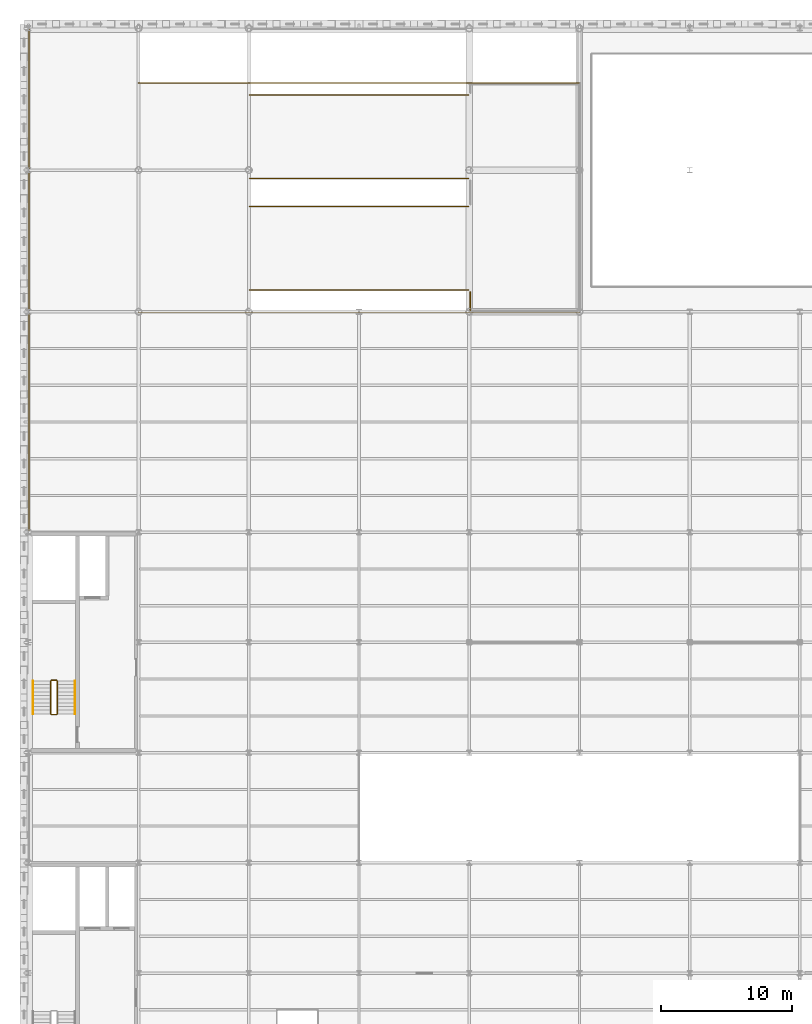
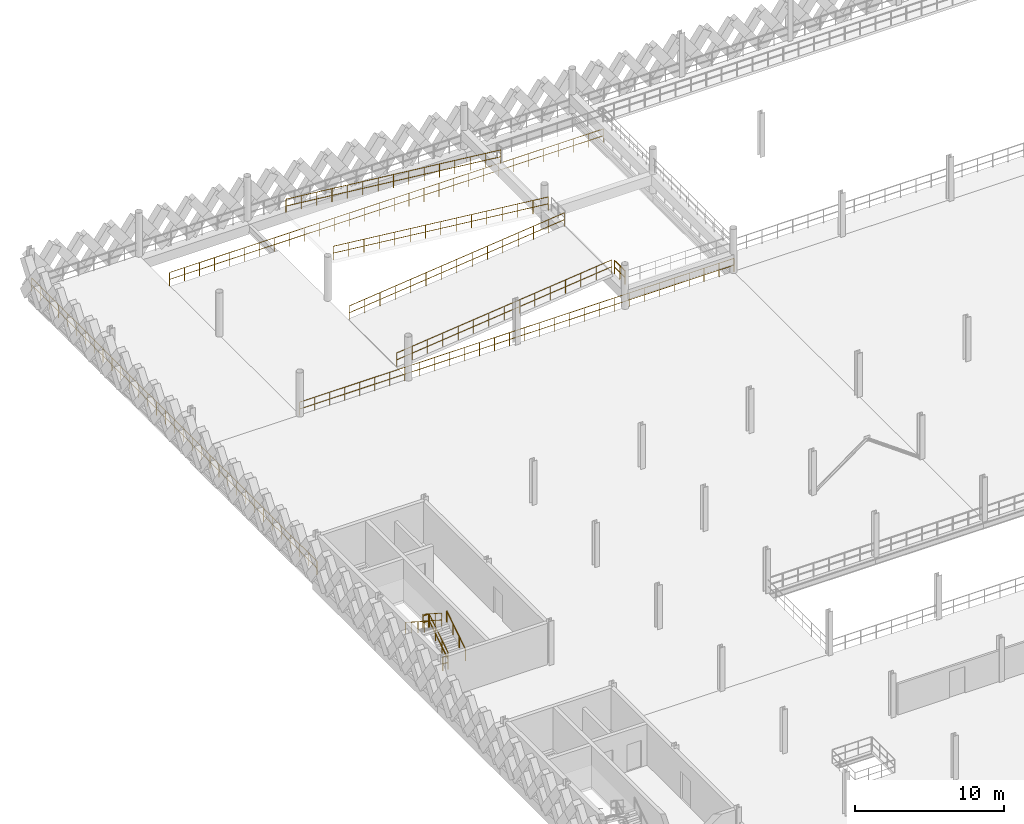
# One storey, part 74 of 79: 14 railings.
"""IFC4 building model written with IfcOpenShell, lengths in metres."""

from ifc_helpers import new_model, si_unit, direction, frame, origin, origin_2d, place, context, subcontext, project, spatial, circle, extrude, material, type_object, element, save


model = new_model("IFC4")

# Units and contexts
model_context = context("Model", 3, precision=1e-05, world=origin(), true_north=direction((0.0, 1.0)))
body_context = subcontext(model_context, "Body", "Model", "MODEL_VIEW")
ifc_project = project(units=[si_unit("LENGTHUNIT", "METRE"), si_unit("AREAUNIT", "SQUARE_METRE"), si_unit("VOLUMEUNIT", "CUBIC_METRE"), si_unit("PLANEANGLEUNIT", "RADIAN"), si_unit("MASSUNIT", "GRAM", prefix="KILO"), si_unit("THERMODYNAMICTEMPERATUREUNIT", "KELVIN"), si_unit("POWERUNIT", "WATT")], contexts=[model_context])

# Site, building, storey
site_placement = place(None, origin())
site = spatial("IfcSite", under=ifc_project, at=site_placement, CompositionType="ELEMENT")
building_placement = place(site_placement, origin())
building = spatial("IfcBuilding", under=site, at=building_placement, Name="Tembeka Court Mobility Hub", CompositionType="ELEMENT")
storey_placement = place(building_placement, frame((0.0, 0.0, 9.0)))
storey = spatial("IfcBuildingStorey", under=building, at=storey_placement, Name="L02", CompositionType="ELEMENT", Elevation=9.0)

# Railings
ifc_material_1 = material(Name="Painted galvanised steel balustrade", Category="steel")
railing_type_1 = type_object("IfcRailingType", Name="RL-GR01", PredefinedType="GUARDRAIL", material=ifc_material_1)
railing_1_placement = place(storey_placement, frame((2.199951171875, 66.550048828125, 0.179931640625)))
element("IfcRailing", 1, at=railing_1_placement, inside=storey, type_object=railing_type_1, Name="L02 ST03 stair guard 1-1", PredefinedType="GUARDRAIL", context=body_context, shape_type="SweptSolid", body=[
    extrude(circle(Radius=0.02392578125, at=origin_2d()), frame((0.0, 0.0, 1.09619140625), z_axis=(0.0, 0.841162588446, 0.540782303519), x_axis=(-1.0, 0.0, 0.0)), (0.0, 0.0, 1.0), 2.995849609375),
    extrude(circle(Radius=0.02392578125, at=origin_2d()), frame((0.0, 0.0, 0.5361328125), z_axis=(0.0, 0.841162588446, 0.540782303519), x_axis=(-1.0, 0.0, 0.0)), (0.0, 0.0, 1.0), 2.995849609375),
    extrude(circle(Radius=0.02099609375, at=origin_2d()), origin(), (0.0, 0.0, 1.0), 1.072021484375),
    extrude(circle(Radius=0.02099609375, at=origin_2d()), frame((0.0, 0.840087890625, 0.5400390625)), (0.0, 0.0, 1.0), 1.072021484375),
    extrude(circle(Radius=0.02099609375, at=origin_2d()), frame((0.0, 1.679931640625, 1.080078125)), (0.0, 0.0, 1.0), 1.072021484375),
    extrude(circle(Radius=0.02099609375, at=origin_2d()), frame((0.0, 2.52001953125, 1.6201171875)), (0.0, 0.0, 1.0), 1.072021484375),
])
railing_2_placement = place(storey_placement, frame((2.14990234375, 69.1201171875, 1.800048828125)))
element("IfcRailing", 2, at=railing_2_placement, inside=storey, type_object=railing_type_1, Name="L02 ST03 stair guard 2-1", PredefinedType="GUARDRAIL", context=body_context, shape_type="SweptSolid", body=[
    extrude(circle(Radius=0.02392578125, at=origin_2d()), frame((0.0, 0.0, 1.09619140625), z_axis=(-1.0, 0.0, 0.0), x_axis=(0.0, -1.0, 0.0)), (0.0, 0.0, 1.0), 0.39990234375),
    extrude(circle(Radius=0.02392578125, at=origin_2d()), frame((0.0, 0.0, 0.5361328125), z_axis=(-1.0, 0.0, 0.0), x_axis=(0.0, -1.0, 0.0)), (0.0, 0.0, 1.0), 0.39990234375),
    extrude(circle(Radius=0.02099609375, at=origin_2d()), origin(), (0.0, 0.0, 1.0), 1.072021484375),
    extrude(circle(Radius=0.02099609375, at=origin_2d()), frame((-0.39990234375, 0.0, 0.0)), (0.0, 0.0, 1.0), 1.072021484375),
])
railing_3_placement = place(storey_placement, frame((1.699951171875, 69.070068359375, 1.97998046875)))
element("IfcRailing", 3, at=railing_3_placement, inside=storey, type_object=railing_type_1, Name="L02 ST03 stair guard 3-1", PredefinedType="GUARDRAIL", context=body_context, shape_type="SweptSolid", body=[
    extrude(circle(Radius=0.02392578125, at=origin_2d()), frame((0.0, 0.0, 1.09619140625), z_axis=(0.0, -0.841162588446, 0.540782303519), x_axis=(1.0, 0.0, 0.0)), (0.0, 0.0, 1.0), 2.995849609375),
    extrude(circle(Radius=0.02392578125, at=origin_2d()), frame((0.0, 0.0, 0.5361328125), z_axis=(0.0, -0.841162588446, 0.540782303519), x_axis=(1.0, 0.0, 0.0)), (0.0, 0.0, 1.0), 2.995849609375),
    extrude(circle(Radius=0.02099609375, at=origin_2d()), origin(), (0.0, 0.0, 1.0), 1.072021484375),
    extrude(circle(Radius=0.02099609375, at=origin_2d()), frame((0.0, -0.840087890625, 0.5400390625)), (0.0, 0.0, 1.0), 1.072021484375),
    extrude(circle(Radius=0.02099609375, at=origin_2d()), frame((0.0, -1.679931640625, 1.080078125)), (0.0, 0.0, 1.0), 1.072021484375),
    extrude(circle(Radius=0.02099609375, at=origin_2d()), frame((0.0, -2.52001953125, 1.6201171875)), (0.0, 0.0, 1.0), 1.072021484375),
])
railing_4_placement = place(storey_placement, frame((2.14990234375, 66.5, 0.0)))
element("IfcRailing", 4, at=railing_4_placement, inside=storey, type_object=railing_type_1, Name="L02 ST03 stair guard 4-1", PredefinedType="GUARDRAIL", context=body_context, shape_type="SweptSolid", body=[
    extrude(circle(Radius=0.02392578125, at=origin_2d()), frame((0.0, 0.0, 1.09619140625), z_axis=(-1.0, 0.0, 0.0), x_axis=(0.0, -1.0, 0.0)), (0.0, 0.0, 1.0), 0.39990234375),
    extrude(circle(Radius=0.02392578125, at=origin_2d()), frame((0.0, 0.0, 0.5361328125), z_axis=(-1.0, 0.0, 0.0), x_axis=(0.0, -1.0, 0.0)), (0.0, 0.0, 1.0), 0.39990234375),
    extrude(circle(Radius=0.02099609375, at=origin_2d()), origin(), (0.0, 0.0, 1.0), 1.072021484375),
    extrude(circle(Radius=0.02099609375, at=origin_2d()), frame((-0.39990234375, 0.0, 0.0)), (0.0, 0.0, 1.0), 1.072021484375),
])
railing_type_2 = type_object("IfcRailingType", Name="RL-GR02", PredefinedType="GUARDRAIL", material=ifc_material_1)
railing_5_placement = place(storey_placement, frame((0.050048828125, 80.429931640625, 0.0)))
element("IfcRailing", 5, at=railing_5_placement, inside=storey, type_object=railing_type_2, Name="Perimeter guard GR02-0095", PredefinedType="GUARDRAIL", context=body_context, shape_type="SweptSolid", body=[
    extrude(circle(Radius=0.02392578125, at=origin_2d()), frame((0.0, 0.0, 1.09619140625), z_axis=(0.0, 1.0, 0.0), x_axis=(-1.0, 0.0, 0.0)), (0.0, 0.0, 1.0), 38.2900390625),
    extrude(circle(Radius=0.02392578125, at=origin_2d()), frame((0.0, 0.0, 0.5361328125), z_axis=(0.0, 1.0, 0.0), x_axis=(-1.0, 0.0, 0.0)), (0.0, 0.0, 1.0), 38.2900390625),
    extrude(circle(Radius=0.02099609375, at=origin_2d()), origin(), (0.0, 0.0, 1.0), 1.072021484375),
    extrude(circle(Radius=0.02099609375, at=origin_2d()), frame((0.0, 1.196533203125, 0.0)), (0.0, 0.0, 1.0), 1.072021484375),
    extrude(circle(Radius=0.02099609375, at=origin_2d()), frame((0.0, 2.39306640625, 0.0)), (0.0, 0.0, 1.0), 1.072021484375),
    extrude(circle(Radius=0.02099609375, at=origin_2d()), frame((0.0, 3.589599609375, 0.0)), (0.0, 0.0, 1.0), 1.072021484375),
    extrude(circle(Radius=0.02099609375, at=origin_2d()), frame((0.0, 4.7861328125, 0.0)), (0.0, 0.0, 1.0), 1.072021484375),
    extrude(circle(Radius=0.02099609375, at=origin_2d()), frame((0.0, 5.98291015625, 0.0)), (0.0, 0.0, 1.0), 1.072021484375),
    extrude(circle(Radius=0.02099609375, at=origin_2d()), frame((0.0, 7.179443359375, 0.0)), (0.0, 0.0, 1.0), 1.072021484375),
    extrude(circle(Radius=0.02099609375, at=origin_2d()), frame((0.0, 8.3759765625, 0.0)), (0.0, 0.0, 1.0), 1.072021484375),
    extrude(circle(Radius=0.02099609375, at=origin_2d()), frame((0.0, 9.572509765625, 0.0)), (0.0, 0.0, 1.0), 1.072021484375),
    extrude(circle(Radius=0.02099609375, at=origin_2d()), frame((0.0, 10.76904296875, 0.0)), (0.0, 0.0, 1.0), 1.072021484375),
    extrude(circle(Radius=0.02099609375, at=origin_2d()), frame((0.0, 11.965576171875, 0.0)), (0.0, 0.0, 1.0), 1.072021484375),
    extrude(circle(Radius=0.02099609375, at=origin_2d()), frame((0.0, 13.162109375, 0.0)), (0.0, 0.0, 1.0), 1.072021484375),
    extrude(circle(Radius=0.02099609375, at=origin_2d()), frame((0.0, 14.35888671875, 0.0)), (0.0, 0.0, 1.0), 1.072021484375),
    extrude(circle(Radius=0.02099609375, at=origin_2d()), frame((0.0, 15.555419921875, 0.0)), (0.0, 0.0, 1.0), 1.072021484375),
    extrude(circle(Radius=0.02099609375, at=origin_2d()), frame((0.0, 16.751953125, 0.0)), (0.0, 0.0, 1.0), 1.072021484375),
    extrude(circle(Radius=0.02099609375, at=origin_2d()), frame((0.0, 17.948486328125, 0.0)), (0.0, 0.0, 1.0), 1.072021484375),
    extrude(circle(Radius=0.02099609375, at=origin_2d()), frame((0.0, 19.14501953125, 0.0)), (0.0, 0.0, 1.0), 1.072021484375),
    extrude(circle(Radius=0.02099609375, at=origin_2d()), frame((0.0, 20.341552734375, 0.0)), (0.0, 0.0, 1.0), 1.072021484375),
    extrude(circle(Radius=0.02099609375, at=origin_2d()), frame((0.0, 21.5380859375, 0.0)), (0.0, 0.0, 1.0), 1.072021484375),
    extrude(circle(Radius=0.02099609375, at=origin_2d()), frame((0.0, 22.734619140625, 0.0)), (0.0, 0.0, 1.0), 1.072021484375),
    extrude(circle(Radius=0.02099609375, at=origin_2d()), frame((0.0, 23.93115234375, 0.0)), (0.0, 0.0, 1.0), 1.072021484375),
    extrude(circle(Radius=0.02099609375, at=origin_2d()), frame((0.0, 25.1279296875, 0.0)), (0.0, 0.0, 1.0), 1.072021484375),
    extrude(circle(Radius=0.02099609375, at=origin_2d()), frame((0.0, 26.324462890625, 0.0)), (0.0, 0.0, 1.0), 1.072021484375),
    extrude(circle(Radius=0.02099609375, at=origin_2d()), frame((0.0, 27.52099609375, 0.0)), (0.0, 0.0, 1.0), 1.072021484375),
    extrude(circle(Radius=0.02099609375, at=origin_2d()), frame((0.0, 28.717529296875, 0.0)), (0.0, 0.0, 1.0), 1.072021484375),
    extrude(circle(Radius=0.02099609375, at=origin_2d()), frame((0.0, 29.9140625, 0.0)), (0.0, 0.0, 1.0), 1.072021484375),
    extrude(circle(Radius=0.02099609375, at=origin_2d()), frame((0.0, 31.110595703125, 0.0)), (0.0, 0.0, 1.0), 1.072021484375),
    extrude(circle(Radius=0.02099609375, at=origin_2d()), frame((0.0, 32.30712890625, 0.0)), (0.0, 0.0, 1.0), 1.072021484375),
    extrude(circle(Radius=0.02099609375, at=origin_2d()), frame((0.0, 33.50390625, 0.0)), (0.0, 0.0, 1.0), 1.072021484375),
    extrude(circle(Radius=0.02099609375, at=origin_2d()), frame((0.0, 34.700439453125, 0.0)), (0.0, 0.0, 1.0), 1.072021484375),
    extrude(circle(Radius=0.02099609375, at=origin_2d()), frame((0.0, 35.89697265625, 0.0)), (0.0, 0.0, 1.0), 1.072021484375),
    extrude(circle(Radius=0.02099609375, at=origin_2d()), frame((0.0, 37.093505859375, 0.0)), (0.0, 0.0, 1.0), 1.072021484375),
    extrude(circle(Radius=0.02099609375, at=origin_2d()), frame((0.0, 38.2900390625, 0.0)), (0.0, 0.0, 1.0), 1.072021484375),
])
railing_6_placement = place(storey_placement, frame((8.3798828125, 97.14990234375, 0.0)))
element("IfcRailing", 6, at=railing_6_placement, inside=storey, type_object=railing_type_2, Name="Perimeter guard GR02-0190", PredefinedType="GUARDRAIL", context=body_context, shape_type="SweptSolid", body=[
    extrude(circle(Radius=0.02392578125, at=origin_2d()), frame((0.0, 0.0, 1.09619140625), z_axis=(1.0, 0.0, 0.0), x_axis=(0.0, 1.0, 0.0)), (0.0, 0.0, 1.0), 33.64013671875),
    extrude(circle(Radius=0.02392578125, at=origin_2d()), frame((0.0, 0.0, 0.5361328125), z_axis=(1.0, 0.0, 0.0), x_axis=(0.0, 1.0, 0.0)), (0.0, 0.0, 1.0), 33.64013671875),
    extrude(circle(Radius=0.02099609375, at=origin_2d()), origin(), (0.0, 0.0, 1.0), 1.072021484375),
    extrude(circle(Radius=0.02099609375, at=origin_2d()), frame((1.159912109375, 0.0, 0.0)), (0.0, 0.0, 1.0), 1.072021484375),
    extrude(circle(Radius=0.02099609375, at=origin_2d()), frame((2.320068359375, 0.0, 0.0)), (0.0, 0.0, 1.0), 1.072021484375),
    extrude(circle(Radius=0.02099609375, at=origin_2d()), frame((3.47998046875, 0.0, 0.0)), (0.0, 0.0, 1.0), 1.072021484375),
    extrude(circle(Radius=0.02099609375, at=origin_2d()), frame((4.64013671875, 0.0, 0.0)), (0.0, 0.0, 1.0), 1.072021484375),
    extrude(circle(Radius=0.02099609375, at=origin_2d()), frame((5.800048828125, 0.0, 0.0)), (0.0, 0.0, 1.0), 1.072021484375),
    extrude(circle(Radius=0.02099609375, at=origin_2d()), frame((6.9599609375, 0.0, 0.0)), (0.0, 0.0, 1.0), 1.072021484375),
    extrude(circle(Radius=0.02099609375, at=origin_2d()), frame((8.1201171875, 0.0, 0.0)), (0.0, 0.0, 1.0), 1.072021484375),
    extrude(circle(Radius=0.02099609375, at=origin_2d()), frame((9.280029296875, 0.0, 0.0)), (0.0, 0.0, 1.0), 1.072021484375),
    extrude(circle(Radius=0.02099609375, at=origin_2d()), frame((10.43994140625, 0.0, 0.0)), (0.0, 0.0, 1.0), 1.072021484375),
    extrude(circle(Radius=0.02099609375, at=origin_2d()), frame((11.60009765625, 0.0, 0.0)), (0.0, 0.0, 1.0), 1.072021484375),
    extrude(circle(Radius=0.02099609375, at=origin_2d()), frame((12.760009765625, 0.0, 0.0)), (0.0, 0.0, 1.0), 1.072021484375),
    extrude(circle(Radius=0.02099609375, at=origin_2d()), frame((13.920166015625, 0.0, 0.0)), (0.0, 0.0, 1.0), 1.072021484375),
    extrude(circle(Radius=0.02099609375, at=origin_2d()), frame((15.080078125, 0.0, 0.0)), (0.0, 0.0, 1.0), 1.072021484375),
    extrude(circle(Radius=0.02099609375, at=origin_2d()), frame((16.239990234375, 0.0, 0.0)), (0.0, 0.0, 1.0), 1.072021484375),
    extrude(circle(Radius=0.02099609375, at=origin_2d()), frame((17.400146484375, 0.0, 0.0)), (0.0, 0.0, 1.0), 1.072021484375),
    extrude(circle(Radius=0.02099609375, at=origin_2d()), frame((18.56005859375, 0.0, 0.0)), (0.0, 0.0, 1.0), 1.072021484375),
    extrude(circle(Radius=0.02099609375, at=origin_2d()), frame((19.719970703125, 0.0, 0.0)), (0.0, 0.0, 1.0), 1.072021484375),
    extrude(circle(Radius=0.02099609375, at=origin_2d()), frame((20.880126953125, 0.0, 0.0)), (0.0, 0.0, 1.0), 1.072021484375),
    extrude(circle(Radius=0.02099609375, at=origin_2d()), frame((22.0400390625, 0.0, 0.0)), (0.0, 0.0, 1.0), 1.072021484375),
    extrude(circle(Radius=0.02099609375, at=origin_2d()), frame((23.2001953125, 0.0, 0.0)), (0.0, 0.0, 1.0), 1.072021484375),
    extrude(circle(Radius=0.02099609375, at=origin_2d()), frame((24.360107421875, 0.0, 0.0)), (0.0, 0.0, 1.0), 1.072021484375),
    extrude(circle(Radius=0.02099609375, at=origin_2d()), frame((25.52001953125, 0.0, 0.0)), (0.0, 0.0, 1.0), 1.072021484375),
    extrude(circle(Radius=0.02099609375, at=origin_2d()), frame((26.68017578125, 0.0, 0.0)), (0.0, 0.0, 1.0), 1.072021484375),
    extrude(circle(Radius=0.02099609375, at=origin_2d()), frame((27.840087890625, 0.0, 0.0)), (0.0, 0.0, 1.0), 1.072021484375),
    extrude(circle(Radius=0.02099609375, at=origin_2d()), frame((29.0, 0.0, 0.0)), (0.0, 0.0, 1.0), 1.072021484375),
    extrude(circle(Radius=0.02099609375, at=origin_2d()), frame((30.16015625, 0.0, 0.0)), (0.0, 0.0, 1.0), 1.072021484375),
    extrude(circle(Radius=0.02099609375, at=origin_2d()), frame((31.320068359375, 0.0, 0.0)), (0.0, 0.0, 1.0), 1.072021484375),
    extrude(circle(Radius=0.02099609375, at=origin_2d()), frame((32.480224609375, 0.0, 0.0)), (0.0, 0.0, 1.0), 1.072021484375),
    extrude(circle(Radius=0.02099609375, at=origin_2d()), frame((33.64013671875, 0.0, 0.0)), (0.0, 0.0, 1.0), 1.072021484375),
])
railing_7_placement = place(storey_placement, frame((8.3798828125, 114.64990234375, 0.0)))
element("IfcRailing", 7, at=railing_7_placement, inside=storey, type_object=railing_type_2, Name="Perimeter guard GR02-0191", PredefinedType="GUARDRAIL", context=body_context, shape_type="SweptSolid", body=[
    extrude(circle(Radius=0.02392578125, at=origin_2d()), frame((0.0, 0.0, 1.09619140625), z_axis=(1.0, 0.0, 0.0), x_axis=(0.0, 1.0, 0.0)), (0.0, 0.0, 1.0), 33.64013671875),
    extrude(circle(Radius=0.02392578125, at=origin_2d()), frame((0.0, 0.0, 0.5361328125), z_axis=(1.0, 0.0, 0.0), x_axis=(0.0, 1.0, 0.0)), (0.0, 0.0, 1.0), 33.64013671875),
    extrude(circle(Radius=0.02099609375, at=origin_2d()), origin(), (0.0, 0.0, 1.0), 1.072021484375),
    extrude(circle(Radius=0.02099609375, at=origin_2d()), frame((1.159912109375, 0.0, 0.0)), (0.0, 0.0, 1.0), 1.072021484375),
    extrude(circle(Radius=0.02099609375, at=origin_2d()), frame((2.320068359375, 0.0, 0.0)), (0.0, 0.0, 1.0), 1.072021484375),
    extrude(circle(Radius=0.02099609375, at=origin_2d()), frame((3.47998046875, 0.0, 0.0)), (0.0, 0.0, 1.0), 1.072021484375),
    extrude(circle(Radius=0.02099609375, at=origin_2d()), frame((4.64013671875, 0.0, 0.0)), (0.0, 0.0, 1.0), 1.072021484375),
    extrude(circle(Radius=0.02099609375, at=origin_2d()), frame((5.800048828125, 0.0, 0.0)), (0.0, 0.0, 1.0), 1.072021484375),
    extrude(circle(Radius=0.02099609375, at=origin_2d()), frame((6.9599609375, 0.0, 0.0)), (0.0, 0.0, 1.0), 1.072021484375),
    extrude(circle(Radius=0.02099609375, at=origin_2d()), frame((8.1201171875, 0.0, 0.0)), (0.0, 0.0, 1.0), 1.072021484375),
    extrude(circle(Radius=0.02099609375, at=origin_2d()), frame((9.280029296875, 0.0, 0.0)), (0.0, 0.0, 1.0), 1.072021484375),
    extrude(circle(Radius=0.02099609375, at=origin_2d()), frame((10.43994140625, 0.0, 0.0)), (0.0, 0.0, 1.0), 1.072021484375),
    extrude(circle(Radius=0.02099609375, at=origin_2d()), frame((11.60009765625, 0.0, 0.0)), (0.0, 0.0, 1.0), 1.072021484375),
    extrude(circle(Radius=0.02099609375, at=origin_2d()), frame((12.760009765625, 0.0, 0.0)), (0.0, 0.0, 1.0), 1.072021484375),
    extrude(circle(Radius=0.02099609375, at=origin_2d()), frame((13.920166015625, 0.0, 0.0)), (0.0, 0.0, 1.0), 1.072021484375),
    extrude(circle(Radius=0.02099609375, at=origin_2d()), frame((15.080078125, 0.0, 0.0)), (0.0, 0.0, 1.0), 1.072021484375),
    extrude(circle(Radius=0.02099609375, at=origin_2d()), frame((16.239990234375, 0.0, 0.0)), (0.0, 0.0, 1.0), 1.072021484375),
    extrude(circle(Radius=0.02099609375, at=origin_2d()), frame((17.400146484375, 0.0, 0.0)), (0.0, 0.0, 1.0), 1.072021484375),
    extrude(circle(Radius=0.02099609375, at=origin_2d()), frame((18.56005859375, 0.0, 0.0)), (0.0, 0.0, 1.0), 1.072021484375),
    extrude(circle(Radius=0.02099609375, at=origin_2d()), frame((19.719970703125, 0.0, 0.0)), (0.0, 0.0, 1.0), 1.072021484375),
    extrude(circle(Radius=0.02099609375, at=origin_2d()), frame((20.880126953125, 0.0, 0.0)), (0.0, 0.0, 1.0), 1.072021484375),
    extrude(circle(Radius=0.02099609375, at=origin_2d()), frame((22.0400390625, 0.0, 0.0)), (0.0, 0.0, 1.0), 1.072021484375),
    extrude(circle(Radius=0.02099609375, at=origin_2d()), frame((23.2001953125, 0.0, 0.0)), (0.0, 0.0, 1.0), 1.072021484375),
    extrude(circle(Radius=0.02099609375, at=origin_2d()), frame((24.360107421875, 0.0, 0.0)), (0.0, 0.0, 1.0), 1.072021484375),
    extrude(circle(Radius=0.02099609375, at=origin_2d()), frame((25.52001953125, 0.0, 0.0)), (0.0, 0.0, 1.0), 1.072021484375),
    extrude(circle(Radius=0.02099609375, at=origin_2d()), frame((26.68017578125, 0.0, 0.0)), (0.0, 0.0, 1.0), 1.072021484375),
    extrude(circle(Radius=0.02099609375, at=origin_2d()), frame((27.840087890625, 0.0, 0.0)), (0.0, 0.0, 1.0), 1.072021484375),
    extrude(circle(Radius=0.02099609375, at=origin_2d()), frame((29.0, 0.0, 0.0)), (0.0, 0.0, 1.0), 1.072021484375),
    extrude(circle(Radius=0.02099609375, at=origin_2d()), frame((30.16015625, 0.0, 0.0)), (0.0, 0.0, 1.0), 1.072021484375),
    extrude(circle(Radius=0.02099609375, at=origin_2d()), frame((31.320068359375, 0.0, 0.0)), (0.0, 0.0, 1.0), 1.072021484375),
    extrude(circle(Radius=0.02099609375, at=origin_2d()), frame((32.480224609375, 0.0, 0.0)), (0.0, 0.0, 1.0), 1.072021484375),
    extrude(circle(Radius=0.02099609375, at=origin_2d()), frame((33.64013671875, 0.0, 0.0)), (0.0, 0.0, 1.0), 1.072021484375),
])
railing_8_placement = place(storey_placement, frame((16.869873046875, 98.8701171875, 0.003173828125)))
element("IfcRailing", 8, at=railing_8_placement, inside=storey, type_object=railing_type_2, Name="Perimeter guard GR02-0232", PredefinedType="GUARDRAIL", context=body_context, shape_type="SweptSolid", body=[
    extrude(circle(Radius=0.02392578125, at=origin_2d()), frame((0.0, 0.0, 1.09619140625), z_axis=(0.994254289674, 0.0, 0.107043951089), x_axis=(0.0, 1.0, 0.0)), (0.0, 0.0, 1.0), 16.756591796875),
    extrude(circle(Radius=0.02392578125, at=origin_2d()), frame((0.0, 0.0, 0.5361328125), z_axis=(0.994254289674, 0.0, 0.107043951089), x_axis=(0.0, 1.0, 0.0)), (0.0, 0.0, 1.0), 16.756591796875),
    extrude(circle(Radius=0.02099609375, at=origin_2d()), origin(), (0.0, 0.0, 1.0), 1.072021484375),
    extrude(circle(Radius=0.02099609375, at=origin_2d()), frame((1.18994140625, 0.0, 0.128173828125)), (0.0, 0.0, 1.0), 1.072021484375),
    extrude(circle(Radius=0.02099609375, at=origin_2d()), frame((2.380126953125, 0.0, 0.25634765625)), (0.0, 0.0, 1.0), 1.072021484375),
    extrude(circle(Radius=0.02099609375, at=origin_2d()), frame((3.570068359375, 0.0, 0.38427734375)), (0.0, 0.0, 1.0), 1.072021484375),
    extrude(circle(Radius=0.02099609375, at=origin_2d()), frame((4.760009765625, 0.0, 0.512451171875)), (0.0, 0.0, 1.0), 1.072021484375),
    extrude(circle(Radius=0.02099609375, at=origin_2d()), frame((5.9501953125, 0.0, 0.640625)), (0.0, 0.0, 1.0), 1.072021484375),
    extrude(circle(Radius=0.02099609375, at=origin_2d()), frame((7.14013671875, 0.0, 0.768798828125)), (0.0, 0.0, 1.0), 1.072021484375),
    extrude(circle(Radius=0.02099609375, at=origin_2d()), frame((8.330078125, 0.0, 0.89697265625)), (0.0, 0.0, 1.0), 1.072021484375),
    extrude(circle(Radius=0.02099609375, at=origin_2d()), frame((9.520263671875, 0.0, 1.02490234375)), (0.0, 0.0, 1.0), 1.072021484375),
    extrude(circle(Radius=0.02099609375, at=origin_2d()), frame((10.710205078125, 0.0, 1.153076171875)), (0.0, 0.0, 1.0), 1.072021484375),
    extrude(circle(Radius=0.02099609375, at=origin_2d()), frame((11.900390625, 0.0, 1.28125)), (0.0, 0.0, 1.0), 1.072021484375),
    extrude(circle(Radius=0.02099609375, at=origin_2d()), frame((13.09033203125, 0.0, 1.409423828125)), (0.0, 0.0, 1.0), 1.072021484375),
    extrude(circle(Radius=0.02099609375, at=origin_2d()), frame((14.2802734375, 0.0, 1.537353515625)), (0.0, 0.0, 1.0), 1.072021484375),
    extrude(circle(Radius=0.02099609375, at=origin_2d()), frame((15.470458984375, 0.0, 1.66552734375)), (0.0, 0.0, 1.0), 1.072021484375),
    extrude(circle(Radius=0.02099609375, at=origin_2d()), frame((16.660400390625, 0.0, 1.793701171875)), (0.0, 0.0, 1.0), 1.072021484375),
])
railing_9_placement = place(storey_placement, frame((33.5302734375, 107.3701171875, 1.80322265625)))
element("IfcRailing", 9, at=railing_9_placement, inside=storey, type_object=railing_type_2, Name="Perimeter guard GR02-0233", PredefinedType="GUARDRAIL", context=body_context, shape_type="SweptSolid", body=[
    extrude(circle(Radius=0.02392578125, at=origin_2d()), frame((0.0, 0.0, 1.09619140625), z_axis=(-0.994255840215, 0.0, 0.107029548251), x_axis=(0.0, -1.0, 0.0)), (0.0, 0.0, 1.0), 16.756591796875),
    extrude(circle(Radius=0.02392578125, at=origin_2d()), frame((0.0, 0.0, 0.5361328125), z_axis=(-0.994255840215, 0.0, 0.107029548251), x_axis=(0.0, -1.0, 0.0)), (0.0, 0.0, 1.0), 16.756591796875),
    extrude(circle(Radius=0.02099609375, at=origin_2d()), origin(), (0.0, 0.0, 1.0), 1.072021484375),
    extrude(circle(Radius=0.02099609375, at=origin_2d()), frame((-1.18994140625, 0.0, 0.128173828125)), (0.0, 0.0, 1.0), 1.072021484375),
    extrude(circle(Radius=0.02099609375, at=origin_2d()), frame((-2.380126953125, 0.0, 0.256103515625)), (0.0, 0.0, 1.0), 1.072021484375),
    extrude(circle(Radius=0.02099609375, at=origin_2d()), frame((-3.570068359375, 0.0, 0.38427734375)), (0.0, 0.0, 1.0), 1.072021484375),
    extrude(circle(Radius=0.02099609375, at=origin_2d()), frame((-4.760009765625, 0.0, 0.512451171875)), (0.0, 0.0, 1.0), 1.072021484375),
    extrude(circle(Radius=0.02099609375, at=origin_2d()), frame((-5.9501953125, 0.0, 0.640625)), (0.0, 0.0, 1.0), 1.072021484375),
    extrude(circle(Radius=0.02099609375, at=origin_2d()), frame((-7.14013671875, 0.0, 0.7685546875)), (0.0, 0.0, 1.0), 1.072021484375),
    extrude(circle(Radius=0.02099609375, at=origin_2d()), frame((-8.330078125, 0.0, 0.896728515625)), (0.0, 0.0, 1.0), 1.072021484375),
    extrude(circle(Radius=0.02099609375, at=origin_2d()), frame((-9.520263671875, 0.0, 1.02490234375)), (0.0, 0.0, 1.0), 1.072021484375),
    extrude(circle(Radius=0.02099609375, at=origin_2d()), frame((-10.710205078125, 0.0, 1.15283203125)), (0.0, 0.0, 1.0), 1.072021484375),
    extrude(circle(Radius=0.02099609375, at=origin_2d()), frame((-11.900390625, 0.0, 1.281005859375)), (0.0, 0.0, 1.0), 1.072021484375),
    extrude(circle(Radius=0.02099609375, at=origin_2d()), frame((-13.09033203125, 0.0, 1.4091796875)), (0.0, 0.0, 1.0), 1.072021484375),
    extrude(circle(Radius=0.02099609375, at=origin_2d()), frame((-14.2802734375, 0.0, 1.537353515625)), (0.0, 0.0, 1.0), 1.072021484375),
    extrude(circle(Radius=0.02099609375, at=origin_2d()), frame((-15.470458984375, 0.0, 1.665283203125)), (0.0, 0.0, 1.0), 1.072021484375),
    extrude(circle(Radius=0.02099609375, at=origin_2d()), frame((-16.660400390625, 0.0, 1.79345703125)), (0.0, 0.0, 1.0), 1.072021484375),
])
railing_10_placement = place(storey_placement, frame((16.869873046875, 105.22998046875, 0.003173828125)))
element("IfcRailing", 10, at=railing_10_placement, inside=storey, type_object=railing_type_2, Name="Perimeter guard GR02-0234", PredefinedType="GUARDRAIL", context=body_context, shape_type="SweptSolid", body=[
    extrude(circle(Radius=0.02392578125, at=origin_2d()), frame((0.0, 0.0, 1.09619140625), z_axis=(0.994254289674, 0.0, 0.107043951089), x_axis=(0.0, 1.0, 0.0)), (0.0, 0.0, 1.0), 16.756591796875),
    extrude(circle(Radius=0.02392578125, at=origin_2d()), frame((0.0, 0.0, 0.5361328125), z_axis=(0.994254289674, 0.0, 0.107043951089), x_axis=(0.0, 1.0, 0.0)), (0.0, 0.0, 1.0), 16.756591796875),
    extrude(circle(Radius=0.02099609375, at=origin_2d()), origin(), (0.0, 0.0, 1.0), 1.072021484375),
    extrude(circle(Radius=0.02099609375, at=origin_2d()), frame((1.18994140625, 0.0, 0.128173828125)), (0.0, 0.0, 1.0), 1.072021484375),
    extrude(circle(Radius=0.02099609375, at=origin_2d()), frame((2.380126953125, 0.0, 0.25634765625)), (0.0, 0.0, 1.0), 1.072021484375),
    extrude(circle(Radius=0.02099609375, at=origin_2d()), frame((3.570068359375, 0.0, 0.38427734375)), (0.0, 0.0, 1.0), 1.072021484375),
    extrude(circle(Radius=0.02099609375, at=origin_2d()), frame((4.760009765625, 0.0, 0.512451171875)), (0.0, 0.0, 1.0), 1.072021484375),
    extrude(circle(Radius=0.02099609375, at=origin_2d()), frame((5.9501953125, 0.0, 0.640625)), (0.0, 0.0, 1.0), 1.072021484375),
    extrude(circle(Radius=0.02099609375, at=origin_2d()), frame((7.14013671875, 0.0, 0.768798828125)), (0.0, 0.0, 1.0), 1.072021484375),
    extrude(circle(Radius=0.02099609375, at=origin_2d()), frame((8.330078125, 0.0, 0.89697265625)), (0.0, 0.0, 1.0), 1.072021484375),
    extrude(circle(Radius=0.02099609375, at=origin_2d()), frame((9.520263671875, 0.0, 1.02490234375)), (0.0, 0.0, 1.0), 1.072021484375),
    extrude(circle(Radius=0.02099609375, at=origin_2d()), frame((10.710205078125, 0.0, 1.153076171875)), (0.0, 0.0, 1.0), 1.072021484375),
    extrude(circle(Radius=0.02099609375, at=origin_2d()), frame((11.900390625, 0.0, 1.28125)), (0.0, 0.0, 1.0), 1.072021484375),
    extrude(circle(Radius=0.02099609375, at=origin_2d()), frame((13.09033203125, 0.0, 1.409423828125)), (0.0, 0.0, 1.0), 1.072021484375),
    extrude(circle(Radius=0.02099609375, at=origin_2d()), frame((14.2802734375, 0.0, 1.537353515625)), (0.0, 0.0, 1.0), 1.072021484375),
    extrude(circle(Radius=0.02099609375, at=origin_2d()), frame((15.470458984375, 0.0, 1.66552734375)), (0.0, 0.0, 1.0), 1.072021484375),
    extrude(circle(Radius=0.02099609375, at=origin_2d()), frame((16.660400390625, 0.0, 1.793701171875)), (0.0, 0.0, 1.0), 1.072021484375),
])
railing_11_placement = place(storey_placement, frame((33.5302734375, 113.72998046875, 1.80322265625)))
element("IfcRailing", 11, at=railing_11_placement, inside=storey, type_object=railing_type_2, Name="Perimeter guard GR02-0235", PredefinedType="GUARDRAIL", context=body_context, shape_type="SweptSolid", body=[
    extrude(circle(Radius=0.02392578125, at=origin_2d()), frame((0.0, 0.0, 1.09619140625), z_axis=(-0.994255840215, 0.0, 0.107029548251), x_axis=(0.0, -1.0, 0.0)), (0.0, 0.0, 1.0), 16.756591796875),
    extrude(circle(Radius=0.02392578125, at=origin_2d()), frame((0.0, 0.0, 0.5361328125), z_axis=(-0.994255840215, 0.0, 0.107029548251), x_axis=(0.0, -1.0, 0.0)), (0.0, 0.0, 1.0), 16.756591796875),
    extrude(circle(Radius=0.02099609375, at=origin_2d()), origin(), (0.0, 0.0, 1.0), 1.072021484375),
    extrude(circle(Radius=0.02099609375, at=origin_2d()), frame((-1.18994140625, 0.0, 0.128173828125)), (0.0, 0.0, 1.0), 1.072021484375),
    extrude(circle(Radius=0.02099609375, at=origin_2d()), frame((-2.380126953125, 0.0, 0.256103515625)), (0.0, 0.0, 1.0), 1.072021484375),
    extrude(circle(Radius=0.02099609375, at=origin_2d()), frame((-3.570068359375, 0.0, 0.38427734375)), (0.0, 0.0, 1.0), 1.072021484375),
    extrude(circle(Radius=0.02099609375, at=origin_2d()), frame((-4.760009765625, 0.0, 0.512451171875)), (0.0, 0.0, 1.0), 1.072021484375),
    extrude(circle(Radius=0.02099609375, at=origin_2d()), frame((-5.9501953125, 0.0, 0.640625)), (0.0, 0.0, 1.0), 1.072021484375),
    extrude(circle(Radius=0.02099609375, at=origin_2d()), frame((-7.14013671875, 0.0, 0.7685546875)), (0.0, 0.0, 1.0), 1.072021484375),
    extrude(circle(Radius=0.02099609375, at=origin_2d()), frame((-8.330078125, 0.0, 0.896728515625)), (0.0, 0.0, 1.0), 1.072021484375),
    extrude(circle(Radius=0.02099609375, at=origin_2d()), frame((-9.520263671875, 0.0, 1.02490234375)), (0.0, 0.0, 1.0), 1.072021484375),
    extrude(circle(Radius=0.02099609375, at=origin_2d()), frame((-10.710205078125, 0.0, 1.15283203125)), (0.0, 0.0, 1.0), 1.072021484375),
    extrude(circle(Radius=0.02099609375, at=origin_2d()), frame((-11.900390625, 0.0, 1.281005859375)), (0.0, 0.0, 1.0), 1.072021484375),
    extrude(circle(Radius=0.02099609375, at=origin_2d()), frame((-13.09033203125, 0.0, 1.4091796875)), (0.0, 0.0, 1.0), 1.072021484375),
    extrude(circle(Radius=0.02099609375, at=origin_2d()), frame((-14.2802734375, 0.0, 1.537353515625)), (0.0, 0.0, 1.0), 1.072021484375),
    extrude(circle(Radius=0.02099609375, at=origin_2d()), frame((-15.470458984375, 0.0, 1.665283203125)), (0.0, 0.0, 1.0), 1.072021484375),
    extrude(circle(Radius=0.02099609375, at=origin_2d()), frame((-16.660400390625, 0.0, 1.79345703125)), (0.0, 0.0, 1.0), 1.072021484375),
])
railing_12_placement = place(storey_placement, frame((33.679931640625, 97.31005859375, 1.800048828125)))
element("IfcRailing", 12, at=railing_12_placement, inside=storey, type_object=railing_type_2, Name="Perimeter guard GR02-0239", PredefinedType="GUARDRAIL", context=body_context, shape_type="SweptSolid", body=[
    extrude(circle(Radius=0.02392578125, at=origin_2d()), frame((0.0, 0.0, 1.09619140625), z_axis=(0.0, 1.0, 0.0), x_axis=(-1.0, 0.0, 0.0)), (0.0, 0.0, 1.0), 1.409912109375),
    extrude(circle(Radius=0.02392578125, at=origin_2d()), frame((0.0, 0.0, 0.5361328125), z_axis=(0.0, 1.0, 0.0), x_axis=(-1.0, 0.0, 0.0)), (0.0, 0.0, 1.0), 1.409912109375),
    extrude(circle(Radius=0.02099609375, at=origin_2d()), origin(), (0.0, 0.0, 1.0), 1.072021484375),
    extrude(circle(Radius=0.02099609375, at=origin_2d()), frame((0.0, 0.705078125, 0.0)), (0.0, 0.0, 1.0), 1.072021484375),
    extrude(circle(Radius=0.02099609375, at=origin_2d()), frame((0.0, 1.409912109375, 0.0)), (0.0, 0.0, 1.0), 1.072021484375),
])
ifc_material_2 = material(Name="Brushed stainless steel handrail", Category="steel")
railing_type_3 = type_object("IfcRailingType", Name="RL-HR01", PredefinedType="HANDRAIL", material=ifc_material_2)
railing_13_placement = place(storey_placement, frame((3.550048828125, 66.550048828125, 0.179931640625)))
element("IfcRailing", 13, at=railing_13_placement, inside=storey, type_object=railing_type_3, Name="L02 ST03 handrail 1-1", PredefinedType="HANDRAIL", context=body_context, shape_type="SweptSolid", body=[
    extrude(circle(Radius=0.02392578125, at=origin_2d()), frame((0.0, 0.0, 0.89599609375), z_axis=(0.0, 0.841162588446, 0.540782303519), x_axis=(-1.0, 0.0, 0.0)), (0.0, 0.0, 1.0), 2.995849609375),
    extrude(circle(Radius=0.02099609375, at=origin_2d()), origin(), (0.0, 0.0, 1.0), 0.871826171875),
    extrude(circle(Radius=0.02099609375, at=origin_2d()), frame((0.0, 0.840087890625, 0.5400390625)), (0.0, 0.0, 1.0), 0.871826171875),
    extrude(circle(Radius=0.02099609375, at=origin_2d()), frame((0.0, 1.679931640625, 1.080078125)), (0.0, 0.0, 1.0), 0.871826171875),
    extrude(circle(Radius=0.02099609375, at=origin_2d()), frame((0.0, 2.52001953125, 1.6201171875)), (0.0, 0.0, 1.0), 0.871826171875),
])
railing_14_placement = place(storey_placement, frame((0.35009765625, 69.070068359375, 1.97998046875)))
element("IfcRailing", 14, at=railing_14_placement, inside=storey, type_object=railing_type_3, Name="L02 ST03 handrail 2-1", PredefinedType="HANDRAIL", context=body_context, shape_type="SweptSolid", body=[
    extrude(circle(Radius=0.02392578125, at=origin_2d()), frame((0.0, 0.0, 0.89599609375), z_axis=(0.0, -0.841162588446, 0.540782303519), x_axis=(1.0, 0.0, 0.0)), (0.0, 0.0, 1.0), 2.995849609375),
    extrude(circle(Radius=0.02099609375, at=origin_2d()), origin(), (0.0, 0.0, 1.0), 0.871826171875),
    extrude(circle(Radius=0.02099609375, at=origin_2d()), frame((0.0, -0.840087890625, 0.5400390625)), (0.0, 0.0, 1.0), 0.871826171875),
    extrude(circle(Radius=0.02099609375, at=origin_2d()), frame((0.0, -1.679931640625, 1.080078125)), (0.0, 0.0, 1.0), 0.871826171875),
    extrude(circle(Radius=0.02099609375, at=origin_2d()), frame((0.0, -2.52001953125, 1.6201171875)), (0.0, 0.0, 1.0), 0.871826171875),
])

save(model, "model.ifc")
